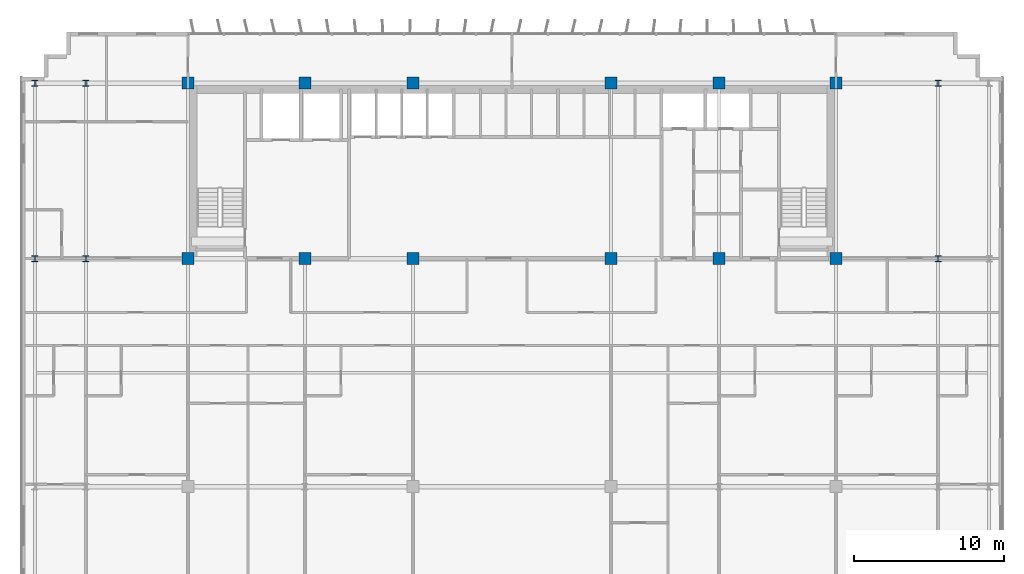
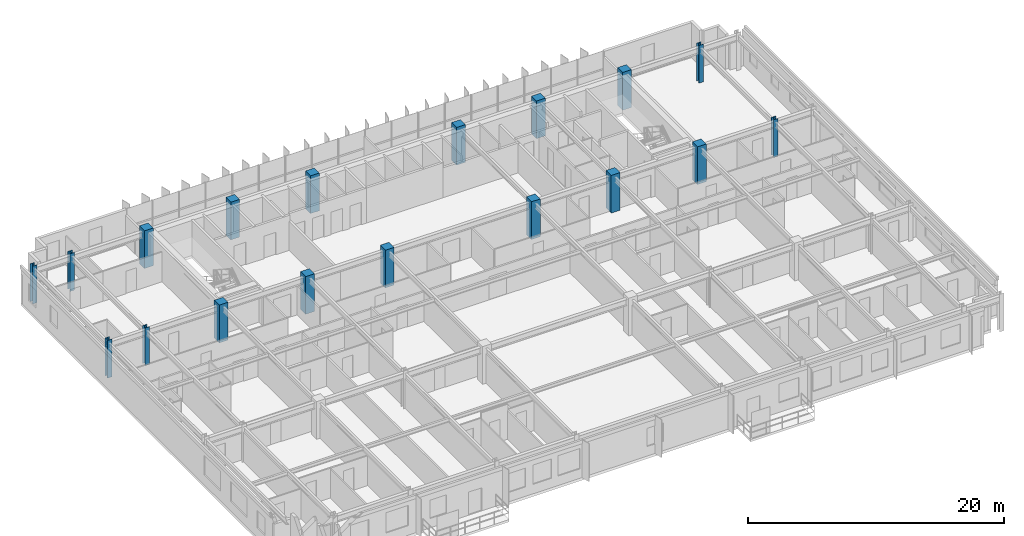
# One storey, part 2 of 22: 18 columns.
"""IFC4 building model written with IfcOpenShell, lengths in metres."""

from ifc_helpers import new_model, si_unit, direction, frame, origin, origin_2d, place, context, subcontext, project, spatial, rectangle, i_section, extrude, source, transform, mapped, material, material_profile, profile_set, type_object, element, save


model = new_model("IFC4")

# Units and contexts
model_context = context("Model", 3, precision=1e-05, world=origin(), true_north=direction((0.0, 1.0)))
body_context = subcontext(model_context, "Body", "Model", "MODEL_VIEW")
ifc_project = project(units=[si_unit("LENGTHUNIT", "METRE"), si_unit("AREAUNIT", "SQUARE_METRE"), si_unit("VOLUMEUNIT", "CUBIC_METRE"), si_unit("PLANEANGLEUNIT", "RADIAN"), si_unit("MASSUNIT", "GRAM", prefix="KILO")], contexts=[model_context])

# Site, building, storey
site_placement = place(None, origin())
site = spatial("IfcSite", under=ifc_project, at=site_placement, CompositionType="ELEMENT")
building_placement = place(site_placement, origin())
building = spatial("IfcBuilding", under=site, at=building_placement, Name="Trelvane Seafront Commons", CompositionType="ELEMENT")
storey_placement = place(building_placement, frame((0.0, 0.0, 96.10009765625)))
storey = spatial("IfcBuildingStorey", under=building, at=storey_placement, Name="L24", CompositionType="ELEMENT", Elevation=96.10009765625)

# Columns
ifc_material_1 = material(Name="Steel SM355 (S355)", Category="steel")
ifc_material_profile_1 = material_profile(ifc_material_1, i_section(OverallWidth=0.39990234375, OverallDepth=0.39990234375, WebThickness=0.02197265625, FlangeThickness=0.034912109375, at=origin_2d()), Name="HD-400x400x22x35")
ifc_profile_set_1 = profile_set([ifc_material_profile_1], Name="Steel SM355 (S355)")
column_type_1 = type_object("IfcColumnType", Name="STR-COL-HD400", PredefinedType="COLUMN", material=ifc_profile_set_1)
shared_shape_1 = source(origin(), body_context, "Body", "SweptSolid", [
    extrude(i_section(OverallWidth=0.39990234375, OverallDepth=0.39990234375, WebThickness=0.02197265625, FlangeThickness=0.034912109375, at=origin_2d()), origin(), (0.0, 0.0, 1.0), 3.599853515625),
])
for number, where, z_axis, x_axis, name in (
    (1, (5.39990234375, 33.39990234375, 0.0), (0.0, 0.0, 1.0), (1.0, 0.0, 0.0), "L24 Column TC-CS5.4"),
    (2, (5.39990234375, 45.10009765625, 0.0), (0.0, 0.0, 1.0), (1.0, 0.0, 0.0), "L24 Column TC-CN5.4"),
    (3, (8.800048828125, 33.39990234375, 0.0), (0.0, 0.0, 1.0), (1.0, 0.0, 0.0), "L24 Column TC-CS8.8"),
    (4, (8.800048828125, 45.10009765625, 0.0), (0.0, 0.0, 1.0), (1.0, 0.0, 0.0), "L24 Column TC-CN8.8"),
    (5, (65.60009765625, 33.39990234375, 0.0), (0.0, 0.0, 1.0), (1.0, 0.0, 0.0), "L24 Column TC-CS65.6"),
    (6, (65.60009765625, 45.10009765625, 0.0), (0.0, 0.0, 1.0), (1.0, 0.0, 0.0), "L24 Column TC-CN65.6"),
):
    element("IfcColumn", number, at=place(storey_placement, frame(where, z_axis=z_axis, x_axis=x_axis)), inside=storey, type_object=column_type_1, Name=name, PredefinedType="COLUMN", context=body_context, shape_type="MappedRepresentation", body=[
        mapped(shared_shape_1, transform((0.0, 0.0, 0.0), x_axis=(1.0, 0.0, 0.0), y_axis=(0.0, 1.0, 0.0), z_axis=(0.0, 0.0, 1.0), scale=1.0)),
    ])
ifc_material_2 = material(Name="Concrete C60/75", Category="concrete")
ifc_material_profile_2 = material_profile(ifc_material_2, rectangle(XDim=0.800048828125, YDim=0.800048828125, at=origin_2d()), Name="RC-800x800")
ifc_profile_set_2 = profile_set([ifc_material_profile_2], Name="Concrete C60/75")
column_type_2 = type_object("IfcColumnType", Name="STR-COL-RC800", PredefinedType="COLUMN", material=ifc_profile_set_2)
shared_shape_2 = source(origin(), body_context, "Body", "SweptSolid", [
    extrude(rectangle(XDim=0.800048828125, YDim=0.800048828125, at=origin_2d()), origin(), (0.0, 0.0, 1.0), 3.599853515625),
])
for number, where, z_axis, x_axis, name in (
    (7, (15.60009765625, 33.39990234375, 0.0), (0.0, 0.0, 1.0), (1.0, 0.0, 0.0), "L24 Column TC-CS15.6"),
    (8, (15.60009765625, 45.10009765625, 0.0), (0.0, 0.0, 1.0), (1.0, 0.0, 0.0), "L24 Column TC-CN15.6"),
    (9, (23.39990234375, 33.39990234375, 0.0), (0.0, 0.0, 1.0), (1.0, 0.0, 0.0), "L24 Column TC-CS23.4"),
    (10, (23.39990234375, 45.10009765625, 0.0), (0.0, 0.0, 1.0), (1.0, 0.0, 0.0), "L24 Column TC-CN23.4"),
    (11, (30.60009765625, 33.39990234375, 0.0), (0.0, 0.0, 1.0), (1.0, 0.0, 0.0), "L24 Column TC-CS30.6"),
    (12, (30.60009765625, 45.10009765625, 0.0), (0.0, 0.0, 1.0), (1.0, 0.0, 0.0), "L24 Column TC-CN30.6"),
    (13, (43.800048828125, 33.39990234375, 0.0), (0.0, 0.0, 1.0), (1.0, 0.0, 0.0), "L24 Column TC-CS43.8"),
    (14, (43.800048828125, 45.10009765625, 0.0), (0.0, 0.0, 1.0), (1.0, 0.0, 0.0), "L24 Column TC-CN43.8"),
    (15, (51.0, 33.39990234375, 0.0), (0.0, 0.0, 1.0), (1.0, 0.0, 0.0), "L24 Column TC-CS51.0"),
    (16, (51.0, 45.10009765625, 0.0), (0.0, 0.0, 1.0), (1.0, 0.0, 0.0), "L24 Column TC-CN51.0"),
    (17, (58.800048828125, 33.39990234375, 0.0), (0.0, 0.0, 1.0), (1.0, 0.0, 0.0), "L24 Column TC-CS58.8"),
    (18, (58.800048828125, 45.10009765625, 0.0), (0.0, 0.0, 1.0), (1.0, 0.0, 0.0), "L24 Column TC-CN58.8"),
):
    element("IfcColumn", number, at=place(storey_placement, frame(where, z_axis=z_axis, x_axis=x_axis)), inside=storey, type_object=column_type_2, Name=name, PredefinedType="COLUMN", context=body_context, shape_type="MappedRepresentation", body=[
        mapped(shared_shape_2, transform((0.0, 0.0, 0.0), x_axis=(1.0, 0.0, 0.0), y_axis=(0.0, 1.0, 0.0), z_axis=(0.0, 0.0, 1.0), scale=1.0)),
    ])

save(model, "model.ifc")
